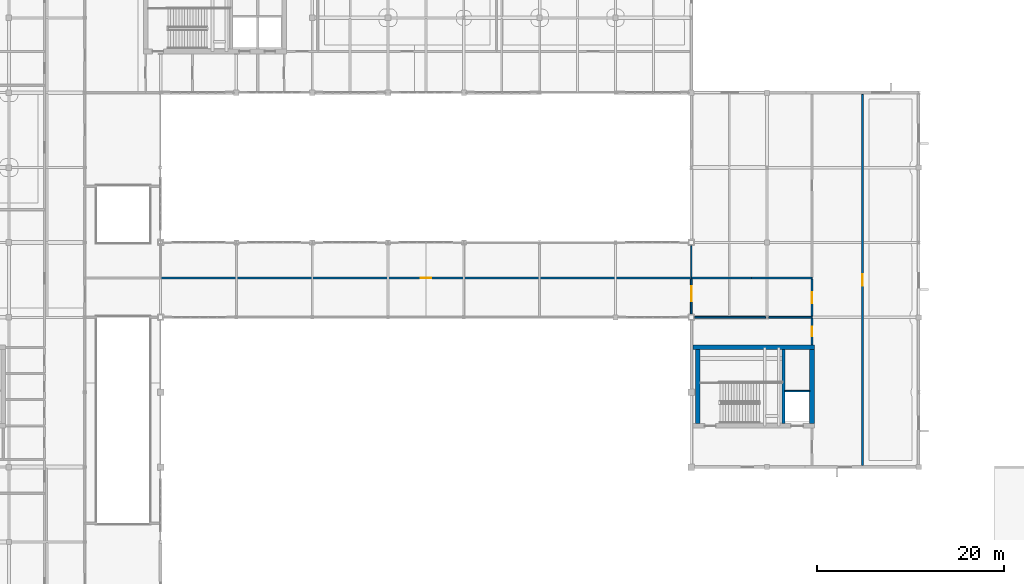
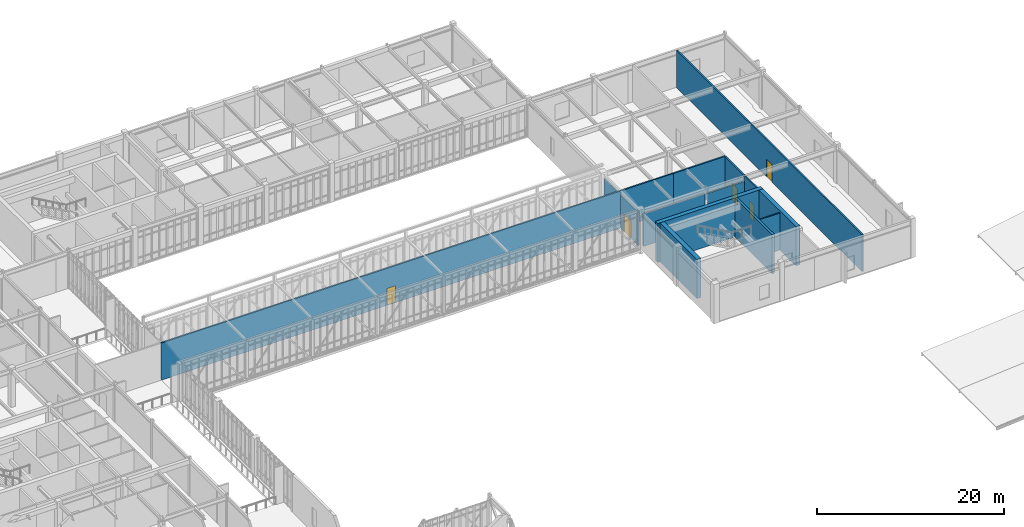
# One storey, part 97 of 107: 15 walls, 5 doors, 5 openings.
"""IFC4 building model written with IfcOpenShell, lengths in metres."""

from ifc_helpers import new_model, si_unit, direction, frame, frame_2d, origin, place, context, subcontext, project, spatial, rectangle, extrude, material, layer, layer_set, type_object, element, fill, save


model = new_model("IFC4")

# Units and contexts
model_context = context("Model", 3, precision=1e-05, world=origin(), true_north=direction((0.0, 1.0)))
body_context = subcontext(model_context, "Body", "Model", "MODEL_VIEW")
ifc_project = project(units=[si_unit("LENGTHUNIT", "METRE"), si_unit("AREAUNIT", "SQUARE_METRE"), si_unit("VOLUMEUNIT", "CUBIC_METRE"), si_unit("PLANEANGLEUNIT", "RADIAN"), si_unit("MASSUNIT", "GRAM", prefix="KILO")], contexts=[model_context])

# Site, building, storey
site_placement = place(None, origin())
site = spatial("IfcSite", under=ifc_project, at=site_placement, CompositionType="ELEMENT")
building_placement = place(site_placement, origin())
building = spatial("IfcBuilding", under=site, at=building_placement, Name="Tarnveldt Square Police Headquarters", CompositionType="ELEMENT")
storey_placement = place(building_placement, frame((0.0, 0.0, 14.699951171875)))
storey = spatial("IfcBuildingStorey", under=building, at=storey_placement, Name="L03", CompositionType="ELEMENT", Elevation=14.699951171875)

# Walls
ifc_material_1 = material(Name="Concrete 50 MPa", Category="concrete")
ifc_layer_1 = layer(ifc_material_1, 0.449951171875)
ifc_layer_set_1 = layer_set([ifc_layer_1], Name="Concrete 50 MPa")
wall_type_1 = type_object("IfcWallType", Name="WL-CORE-450", PredefinedType="SHEAR", material=ifc_layer_set_1)
wall_1_placement = place(storey_placement, frame((115.14990234375, 60.64990234375, 0.0), z_axis=(0.0, 0.0, 1.0), x_axis=(0.0, 1.0, 0.0)))
element("IfcWall", 1, at=wall_1_placement, inside=storey, type_object=wall_type_1, Name="Core K4 East Custody and Tactical Core L03 Stair-Lift Divider Shear Wall", PredefinedType="SHEAR", context=body_context, shape_type="SweptSolid", body=[
    extrude(rectangle(XDim=7.900146484375, YDim=0.300048828125, at=frame_2d((3.9501953125, 0.0))), origin(), (0.0, 0.0, 1.0), 5.10009765625),
])
ifc_layer_2 = layer(ifc_material_1, 0.5)
ifc_layer_set_2 = layer_set([ifc_layer_2], Name="Concrete 50 MPa")
wall_type_2 = type_object("IfcWallType", Name="WL-CORE-500", PredefinedType="SHEAR", material=ifc_layer_set_2)
wall_2_placement = place(storey_placement, frame((105.47998046875, 68.800048828125, 0.0), z_axis=(0.0, 0.0, 1.0), x_axis=(1.0, 0.0, 0.0)))
element("IfcWall", 2, at=wall_2_placement, inside=storey, type_object=wall_type_2, Name="Core K4 East Custody and Tactical Core L03 North Shear Wall", PredefinedType="SHEAR", context=body_context, shape_type="SweptSolid", body=[
    extrude(rectangle(XDim=12.969970703125, YDim=0.5, at=frame_2d((6.48486328125, 0.0))), origin(), (0.0, 0.0, 1.0), 5.10009765625),
])
for number, where, z_axis, x_axis, name in (
    (3, (106.0, 60.64990234375, 0.0), (0.0, 0.0, 1.0), (0.0, 1.0, 0.0), "Core K4 East Custody and Tactical Core L03 West Shear Wall"),
    (4, (118.199951171875, 60.64990234375, 0.0), (0.0, 0.0, 1.0), (0.0, 1.0, 0.0), "Core K4 East Custody and Tactical Core L03 East Shear Wall"),
):
    element("IfcWall", number, at=place(storey_placement, frame(where, z_axis=z_axis, x_axis=x_axis)), inside=storey, type_object=wall_type_2, Name=name, PredefinedType="SHEAR", context=body_context, shape_type="SweptSolid", body=[
        extrude(rectangle(XDim=7.900146484375, YDim=0.5, at=frame_2d((3.9501953125, 0.0))), origin(), (0.0, 0.0, 1.0), 5.10009765625),
    ])

# Wall, opening, door
ifc_material_2 = material(Name="Fire-rated Type X gypsum board on steel studs", Category="steel")
ifc_layer_3 = layer(ifc_material_2, 0.179931640625)
ifc_layer_set_3 = layer_set([ifc_layer_3], Name="Fire-rated Type X gypsum board on steel studs")
wall_type_3 = type_object("IfcWallType", Name="WL-FIRE-180", PredefinedType="PARTITIONING", material=ifc_layer_set_3)
wall_3_placement = place(storey_placement, frame((48.60009765625, 76.199951171875, 0.0), z_axis=(0.0, 0.0, 1.0), x_axis=(1.0, 0.0, 0.0)))
wall_3 = element("IfcWall", 5, at=wall_3_placement, inside=storey, type_object=wall_type_3, Name="L03 Interior Partition Wall 0469", PredefinedType="PARTITIONING", context=body_context, shape_type="SweptSolid", body=[
    extrude(rectangle(XDim=56.699951171875, YDim=0.179931640625, at=frame_2d((28.35009765625, 0.0))), origin(), (0.0, 0.0, 1.0), 4.840087890625),
])
opening_1_placement = place(wall_3_placement, frame((27.800048828125, 0.0, 0.0)))
opening_1 = element("IfcOpeningElement", 6, at=opening_1_placement, cuts=wall_3, Name="Opening D07", PredefinedType="OPENING", context=body_context, shape_type="SweptSolid", body=[
    extrude(rectangle(XDim=1.10009765625, YDim=2.199951171875, at=frame_2d((0.550048828125, 1.10009765625))), frame((0.0, 0.099853515625, 0.0), z_axis=(0.0, -1.0, 0.0), x_axis=(1.0, 0.0, 0.0)), (0.0, 0.0, 1.0), 0.199951171875),
])
ifc_material_3 = material(Name="Solid core architectural birch door leaf", Category="wood")
door_type_1 = type_object("IfcDoorType", Name="DR-INT-1100", OperationType="NOTDEFINED", PredefinedType="DOOR", material=ifc_material_3)
door_1_placement = place(opening_1_placement, origin())
door_1 = element("IfcDoor", 7, at=door_1_placement, inside=storey, type_object=door_type_1, Name="North Skybridge Case Conferencing Gallery Door", OperationType="SINGLE_SWING_LEFT", OverallHeight=2.199951171875, OverallWidth=1.10009765625, PredefinedType="DOOR", context=body_context, shape_type="SweptSolid", body=[
    extrude(rectangle(XDim=1.10009765625, YDim=2.199951171875, at=frame_2d((0.550048828125, 1.10009765625))), frame((0.0, 0.02490234375, 0.0), z_axis=(0.0, -1.0, 0.0), x_axis=(1.0, 0.0, 0.0)), (0.0, 0.0, 1.0), 0.050048828125),
])
fill(opening_1, door_1)

# Walls
wall_4_placement = place(storey_placement, frame((105.657958984375, 72.0, 0.0), z_axis=(0.0, 0.0, 1.0), x_axis=(1.0, 0.0, 0.0)))
element("IfcWall", 8, at=wall_4_placement, inside=storey, type_object=wall_type_3, Name="L03 Interior Partition Wall 0473", PredefinedType="PARTITIONING", context=body_context, shape_type="SweptSolid", body=[
    extrude(rectangle(XDim=7.580078125, YDim=0.179931640625, at=frame_2d((3.7900390625, 0.0))), origin(), (0.0, 0.0, 1.0), 4.23193359375),
])
wall_5_placement = place(storey_placement, frame((113.56201171875, 72.0, 0.0), z_axis=(0.0, 0.0, 1.0), x_axis=(1.0, 0.0, 0.0)))
element("IfcWall", 9, at=wall_5_placement, inside=storey, type_object=wall_type_3, Name="L03 Interior Partition Wall 0474", PredefinedType="PARTITIONING", context=body_context, shape_type="SweptSolid", body=[
    extrude(rectangle(XDim=4.637939453125, YDim=0.179931640625, at=frame_2d((2.31884765625, 0.0))), origin(), (0.0, 0.0, 1.0), 4.14404296875),
])
for number, where, z_axis, x_axis, name in (
    (10, (105.300048828125, 76.199951171875, 0.0), (0.0, 0.0, 1.0), (1.0, 0.0, 0.0), "L03 Interior Partition Wall 0475"),
    (11, (111.75, 76.199951171875, 0.0), (0.0, 0.0, 1.0), (1.0, 0.0, 0.0), "L03 Interior Partition Wall 0476"),
):
    element("IfcWall", number, at=place(storey_placement, frame(where, z_axis=z_axis, x_axis=x_axis)), inside=storey, type_object=wall_type_3, Name=name, PredefinedType="PARTITIONING", context=body_context, shape_type="SweptSolid", body=[
        extrude(rectangle(XDim=6.449951171875, YDim=0.179931640625, at=frame_2d((3.22509765625, 0.0))), origin(), (0.0, 0.0, 1.0), 4.840087890625),
    ])

# Wall, opening, door
wall_6_placement = place(storey_placement, frame((105.300048828125, 72.35791015625, 0.0), z_axis=(0.0, 0.0, 1.0), x_axis=(0.0, 1.0, 0.0)))
wall_6 = element("IfcWall", 12, at=wall_6_placement, inside=storey, type_object=wall_type_3, Name="L03 Interior Partition Wall 0527", PredefinedType="PARTITIONING", context=body_context, shape_type="SweptSolid", body=[
    extrude(rectangle(XDim=3.744140625, YDim=0.179931640625, at=frame_2d((1.8720703125, 0.0))), origin(), (0.0, 0.0, 1.0), 4.369140625),
])
opening_2_placement = place(wall_6_placement, frame((1.37158203125, 0.0, 0.0)))
opening_2 = element("IfcOpeningElement", 13, at=opening_2_placement, cuts=wall_6, Name="Opening D23", PredefinedType="OPENING", context=body_context, shape_type="SweptSolid", body=[
    extrude(rectangle(XDim=1.60009765625, YDim=2.35009765625, at=frame_2d((0.800048828125, 1.175048828125))), frame((0.0, 0.099853515625, 0.0), z_axis=(0.0, -1.0, 0.0), x_axis=(1.0, 0.0, 0.0)), (0.0, 0.0, 1.0), 0.199951171875),
])
door_type_2 = type_object("IfcDoorType", Name="DR-PAIR-1600", OperationType="DOUBLE_DOOR_SINGLE_SWING", PredefinedType="DOOR", material=ifc_material_3)
door_2_placement = place(opening_2_placement, origin())
door_2 = element("IfcDoor", 14, at=door_2_placement, inside=storey, type_object=door_type_2, Name="North Courtyard Glazed Skybridge Corridor Secondary Door", OperationType="DOUBLE_DOOR_SINGLE_SWING", OverallHeight=2.35009765625, OverallWidth=1.60009765625, PredefinedType="DOOR", context=body_context, shape_type="SweptSolid", body=[
    extrude(rectangle(XDim=1.60009765625, YDim=2.35009765625, at=frame_2d((0.800048828125, 1.175048828125))), frame((0.0, 0.02490234375, 0.0), z_axis=(0.0, -1.0, 0.0), x_axis=(1.0, 0.0, 0.0)), (0.0, 0.0, 1.0), 0.050048828125),
])
fill(opening_2, door_2)

wall_7_placement = place(storey_placement, frame((118.199951171875, 69.05810546875, 0.0), z_axis=(0.0, 0.0, 1.0), x_axis=(0.0, 1.0, 0.0)))
wall_7 = element("IfcWall", 15, at=wall_7_placement, inside=storey, type_object=wall_type_3, Name="L03 Interior Partition Wall 0530", PredefinedType="PARTITIONING", context=body_context, shape_type="SweptSolid", body=[
    extrude(rectangle(XDim=2.843994140625, YDim=0.179931640625, at=frame_2d((1.421875, 0.0))), origin(), (0.0, 0.0, 1.0), 4.840087890625),
])
opening_3_placement = place(wall_7_placement, frame((0.922119140625, 0.0, 0.0)))
opening_3 = element("IfcOpeningElement", 16, at=opening_3_placement, cuts=wall_7, Name="Opening D14", PredefinedType="OPENING", context=body_context, shape_type="SweptSolid", body=[
    extrude(rectangle(XDim=1.0, YDim=2.14990234375, at=frame_2d((0.5, 1.074951171875))), frame((0.0, 0.099853515625, 0.0), z_axis=(0.0, -1.0, 0.0), x_axis=(1.0, 0.0, 0.0)), (0.0, 0.0, 1.0), 0.199951171875),
])
ifc_material_4 = material(Name="Insulated hollow metal steel door leaf", Category="steel")
door_type_3 = type_object("IfcDoorType", Name="DR-FD60-1000", OperationType="NOTDEFINED", PredefinedType="DOOR", material=ifc_material_4)
door_3_placement = place(opening_3_placement, origin())
door_3 = element("IfcDoor", 17, at=door_3_placement, inside=storey, type_object=door_type_3, Name="Tactical Telemetry Equipment Room Door", OperationType="SINGLE_SWING_LEFT", OverallHeight=2.14990234375, OverallWidth=1.0, PredefinedType="DOOR", context=body_context, shape_type="SweptSolid", body=[
    extrude(rectangle(XDim=1.0, YDim=2.14990234375, at=frame_2d((0.5, 1.074951171875))), frame((0.0, 0.02490234375, 0.0), z_axis=(0.0, -1.0, 0.0), x_axis=(1.0, 0.0, 0.0)), (0.0, 0.0, 1.0), 0.050048828125),
])
fill(opening_3, door_3)

wall_8_placement = place(storey_placement, frame((118.199951171875, 72.097900390625, 0.0), z_axis=(0.0, 0.0, 1.0), x_axis=(0.0, 1.0, 0.0)))
wall_8 = element("IfcWall", 18, at=wall_8_placement, inside=storey, type_object=wall_type_3, Name="L03 Interior Partition Wall 0531", PredefinedType="PARTITIONING", context=body_context, shape_type="SweptSolid", body=[
    extrude(rectangle(XDim=4.004150390625, YDim=0.179931640625, at=frame_2d((2.001953125, 0.0))), origin(), (0.0, 0.0, 1.0), 4.840087890625),
])
opening_4_placement = place(wall_8_placement, frame((1.402099609375, 0.0, 0.0)))
opening_4 = element("IfcOpeningElement", 19, at=opening_4_placement, cuts=wall_8, Name="Opening D16", PredefinedType="OPENING", context=body_context, shape_type="SweptSolid", body=[
    extrude(rectangle(XDim=1.199951171875, YDim=2.199951171875, at=frame_2d((0.60009765625, 1.10009765625))), frame((0.0, 0.099853515625, 0.0), z_axis=(0.0, -1.0, 0.0), x_axis=(1.0, 0.0, 0.0)), (0.0, 0.0, 1.0), 0.199951171875),
])
door_type_4 = type_object("IfcDoorType", Name="DR-FD60-1200", OperationType="NOTDEFINED", PredefinedType="DOOR", material=ifc_material_4)
door_4_placement = place(opening_4_placement, origin())
door_4 = element("IfcDoor", 20, at=door_4_placement, inside=storey, type_object=door_type_4, Name="East Skybridge Link Corridor L03 Door", OperationType="SINGLE_SWING_RIGHT", OverallHeight=2.199951171875, OverallWidth=1.199951171875, PredefinedType="DOOR", context=body_context, shape_type="SweptSolid", body=[
    extrude(rectangle(XDim=1.199951171875, YDim=2.199951171875, at=frame_2d((0.60009765625, 1.10009765625))), frame((0.0, 0.02490234375, 0.0), z_axis=(0.0, -1.0, 0.0), x_axis=(1.0, 0.0, 0.0)), (0.0, 0.0, 1.0), 0.050048828125),
])
fill(opening_4, door_4)

wall_9_placement = place(storey_placement, frame((123.60009765625, 56.16796875, 0.0), z_axis=(0.0, 0.0, 1.0), x_axis=(0.0, 1.0, 0.0)))
wall_9 = element("IfcWall", 21, at=wall_9_placement, inside=storey, type_object=wall_type_3, Name="L03 Interior Partition Wall 0533", PredefinedType="PARTITIONING", context=body_context, shape_type="SweptSolid", body=[
    extrude(rectangle(XDim=39.6640625, YDim=0.179931640625, at=frame_2d((19.83203125, 0.0))), origin(), (0.0, 0.0, 1.0), 4.840087890625),
])
opening_5_placement = place(wall_9_placement, frame((19.23193359375, 0.0, 0.0)))
opening_5 = element("IfcOpeningElement", 22, at=opening_5_placement, cuts=wall_9, Name="Opening D10", PredefinedType="OPENING", context=body_context, shape_type="SweptSolid", body=[
    extrude(rectangle(XDim=1.199951171875, YDim=2.300048828125, at=frame_2d((0.60009765625, 1.14990234375))), frame((0.0, 0.099853515625, 0.0), z_axis=(0.0, -1.0, 0.0), x_axis=(1.0, 0.0, 0.0)), (0.0, 0.0, 1.0), 0.199951171875),
])
door_type_5 = type_object("IfcDoorType", Name="DR-LAB-1200", OperationType="NOTDEFINED", PredefinedType="DOOR", material=ifc_material_4)
door_5_placement = place(opening_5_placement, frame((1.199951171875, 0.0, 0.0), z_axis=(0.0, 0.0, 1.0), x_axis=(-1.0, 0.0, 0.0)))
door_5 = element("IfcDoor", 23, at=door_5_placement, inside=storey, type_object=door_type_5, Name="Cybercrime Digital Forensics Laboratory Door", OperationType="SINGLE_SWING_RIGHT", OverallHeight=2.300048828125, OverallWidth=1.199951171875, PredefinedType="DOOR", context=body_context, shape_type="SweptSolid", body=[
    extrude(rectangle(XDim=1.199951171875, YDim=2.300048828125, at=frame_2d((0.60009765625, 1.14990234375))), frame((0.0, 0.02490234375, 0.0), z_axis=(0.0, -1.0, 0.0), x_axis=(1.0, 0.0, 0.0)), (0.0, 0.0, 1.0), 0.050048828125),
])
fill(opening_5, door_5)

# Walls
ifc_layer_4 = layer(ifc_material_2, 0.1201171875)
ifc_layer_set_4 = layer_set([ifc_layer_4], Name="Fire-rated Type X gypsum board on steel studs")
wall_type_4 = type_object("IfcWallType", Name="WL-PART-120", PredefinedType="PARTITIONING", material=ifc_layer_set_4)
wall_10_placement = place(storey_placement, frame((105.300048828125, 76.298095703125, 0.0), z_axis=(0.0, 0.0, 1.0), x_axis=(0.0, 1.0, 0.0)))
element("IfcWall", 24, at=wall_10_placement, inside=storey, type_object=wall_type_4, Name="L03 Interior Partition Wall 0528", PredefinedType="PARTITIONING", context=body_context, shape_type="SweptSolid", body=[
    extrude(rectangle(XDim=3.343994140625, YDim=0.1201171875, at=frame_2d((1.671875, 0.0))), origin(), (0.0, 0.0, 1.0), 4.369140625),
])
ifc_layer_5 = layer(ifc_material_2, 0.14990234375)
ifc_layer_set_5 = layer_set([ifc_layer_5], Name="Fire-rated Type X gypsum board on steel studs")
wall_type_5 = type_object("IfcWallType", Name="WL-SHAFT-150", PredefinedType="PARTITIONING", material=ifc_layer_set_5)
wall_11_placement = place(storey_placement, frame((115.300048828125, 64.1201171875, 0.0), z_axis=(0.0, 0.0, 1.0), x_axis=(1.0, 0.0, 0.0)))
element("IfcWall", 25, at=wall_11_placement, inside=storey, type_object=wall_type_5, Name="K4 L03 Elevator Shaft Back Wall", PredefinedType="PARTITIONING", context=body_context, shape_type="SweptSolid", body=[
    extrude(rectangle(XDim=2.64990234375, YDim=0.14990234375, at=frame_2d((1.324951171875, 0.0))), origin(), (0.0, 0.0, 1.0), 4.840087890625),
])

save(model, "model.ifc")
